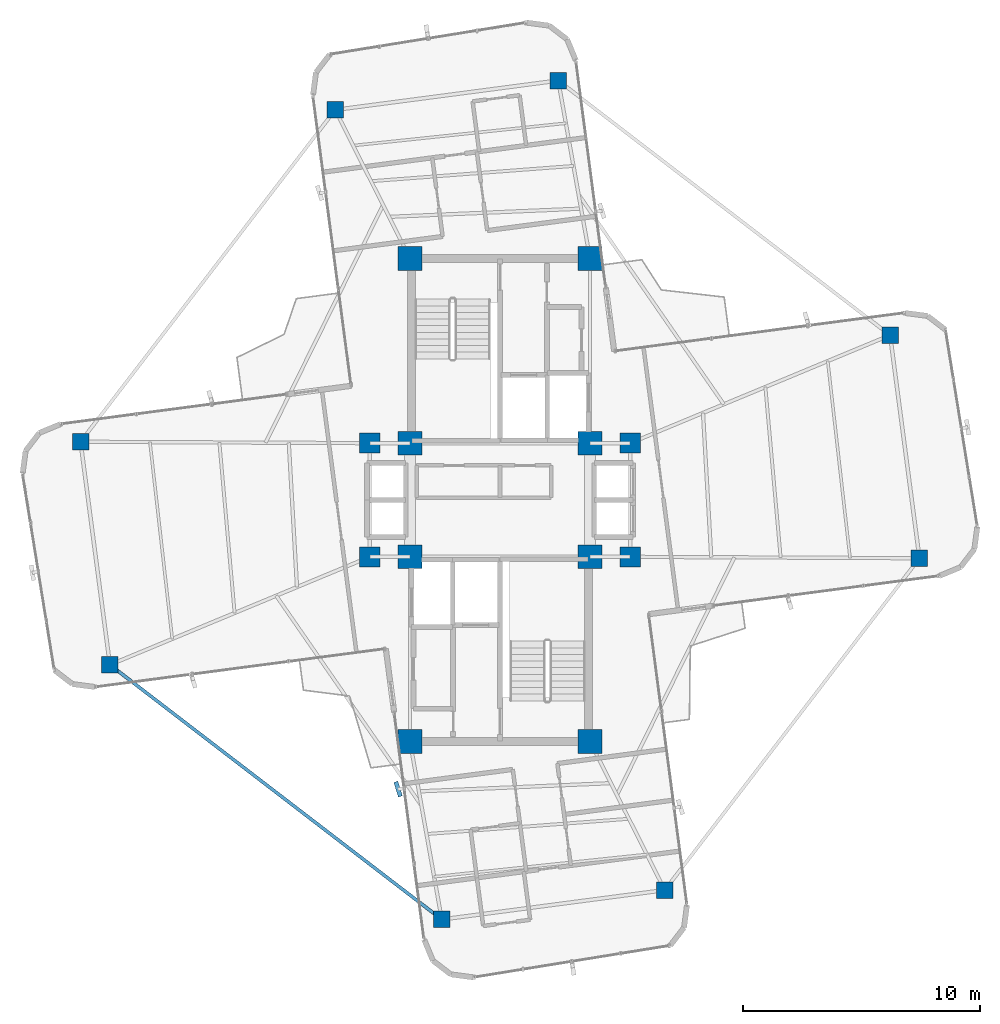
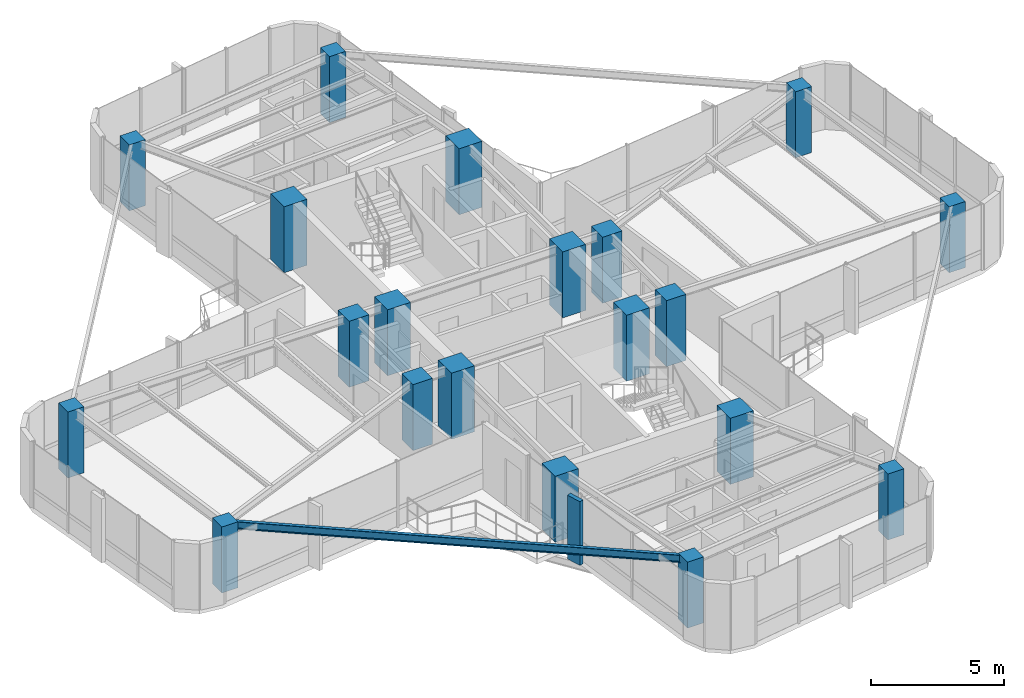
# One storey, part 1 of 22: 20 columns, 1 beam, 1 member, 1 element without a shape of its own.
"""IFC4 building model written with IfcOpenShell, lengths in metres."""

from ifc_helpers import new_model, si_unit, direction, frame, origin, origin_2d, place, context, subcontext, project, spatial, rectangle, i_section, extrude, source, transform, mapped, material, material_profile, profile_set, type_object, element, aggregate, save


model = new_model("IFC4")

# Units and contexts
model_context = context("Model", 3, precision=1e-05, world=origin(), true_north=direction((0.0, 1.0)))
body_context = subcontext(model_context, "Body", "Model", "MODEL_VIEW")
ifc_project = project(units=[si_unit("LENGTHUNIT", "METRE"), si_unit("AREAUNIT", "SQUARE_METRE"), si_unit("VOLUMEUNIT", "CUBIC_METRE"), si_unit("PLANEANGLEUNIT", "RADIAN"), si_unit("MASSUNIT", "GRAM", prefix="KILO")], contexts=[model_context])

# Site, building, storey
site_placement = place(None, origin())
site = spatial("IfcSite", under=ifc_project, at=site_placement, CompositionType="ELEMENT")
building_placement = place(site_placement, origin())
building = spatial("IfcBuilding", under=site, at=building_placement, Name="Sahyath Konkavel Grand Hotel", CompositionType="ELEMENT")
storey_placement = place(building_placement, frame((0.0, 0.0, 261.25)))
storey = spatial("IfcBuildingStorey", under=building, at=storey_placement, Name="L73", CompositionType="ELEMENT", Elevation=261.25)

# Columns
ifc_material_1 = material(Name="Concrete C50/60", Category="concrete")
ifc_material_profile_1 = material_profile(ifc_material_1, rectangle(XDim=1.0, YDim=1.0, at=origin_2d()), Name="RC 1000x1000")
ifc_profile_set_1 = profile_set([ifc_material_profile_1], Name="Concrete C50/60")
column_type_1 = type_object("IfcColumnType", Name="COL-RC1000", PredefinedType="COLUMN", material=ifc_profile_set_1)
shared_shape_1 = source(origin(), body_context, "Body", "SweptSolid", [
    extrude(rectangle(XDim=1.0, YDim=1.0, at=origin_2d()), origin(), (0.0, 0.0, 1.0), 3.030029296875),
])
for number, where, z_axis, x_axis, name in (
    (1, (-3.800048828125, 2.39990234375, 0.0), (0.0, 0.0, 1.0), (1.0, 0.0, 0.0), "L73 Core Boundary Column NC-SW"),
    (2, (3.800048828125, 2.39990234375, 0.0), (0.0, 0.0, 1.0), (1.0, 0.0, 0.0), "L73 Core Boundary Column NC-SE"),
    (3, (-3.800048828125, 10.199951171875, 0.0), (0.0, 0.0, 1.0), (1.0, 0.0, 0.0), "L73 Core Boundary Column NC-NW"),
    (4, (3.800048828125, 10.199951171875, 0.0), (0.0, 0.0, 1.0), (1.0, 0.0, 0.0), "L73 Core Boundary Column NC-NE"),
    (5, (-3.800048828125, -2.39990234375, 0.0), (0.0, 0.0, 1.0), (1.0, 0.0, 0.0), "L73 Core Boundary Column SC-NW"),
    (6, (3.800048828125, -2.39990234375, 0.0), (0.0, 0.0, 1.0), (1.0, 0.0, 0.0), "L73 Core Boundary Column SC-NE"),
    (7, (-3.800048828125, -10.199951171875, 0.0), (0.0, 0.0, 1.0), (1.0, 0.0, 0.0), "L73 Core Boundary Column SC-SW"),
    (8, (3.800048828125, -10.199951171875, 0.0), (0.0, 0.0, 1.0), (1.0, 0.0, 0.0), "L73 Core Boundary Column SC-SE"),
):
    element("IfcColumn", number, at=place(storey_placement, frame(where, z_axis=z_axis, x_axis=x_axis)), inside=storey, type_object=column_type_1, Name=name, PredefinedType="COLUMN", context=body_context, shape_type="MappedRepresentation", body=[
        mapped(shared_shape_1, transform((0.0, 0.0, 0.0), scale=1.0)),
    ])
ifc_material_2 = material(Name="Concrete C40/50", Category="concrete")
ifc_material_profile_2 = material_profile(ifc_material_2, rectangle(XDim=0.85009765625, YDim=0.85009765625, at=origin_2d()), Name="RC 850x850")
ifc_profile_set_2 = profile_set([ifc_material_profile_2], Name="Concrete C40/50")
column_type_2 = type_object("IfcColumnType", Name="COL-RC850", PredefinedType="COLUMN", material=ifc_profile_set_2)
shared_shape_2 = source(origin(), body_context, "Body", "SweptSolid", [
    extrude(rectangle(XDim=0.85009765625, YDim=0.85009765625, at=origin_2d()), origin(), (0.0, 0.0, 1.0), 3.030029296875),
])
for number, where, z_axis, x_axis, name in (
    (9, (5.5, 2.39990234375, 0.0), (0.0, 0.0, 1.0), (1.0, 0.0, 0.0), "L73 Central Spine Column HB-NE"),
    (10, (-5.5, 2.39990234375, 0.0), (0.0, 0.0, 1.0), (1.0, 0.0, 0.0), "L73 Central Spine Column HB-NW"),
    (11, (5.5, -2.39990234375, 0.0), (0.0, 0.0, 1.0), (1.0, 0.0, 0.0), "L73 Central Spine Column HB-SE"),
    (12, (-5.5, -2.39990234375, 0.0), (0.0, 0.0, 1.0), (1.0, 0.0, 0.0), "L73 Central Spine Column HB-SW"),
):
    element("IfcColumn", number, at=place(storey_placement, frame(where, z_axis=z_axis, x_axis=x_axis)), inside=storey, type_object=column_type_2, Name=name, PredefinedType="COLUMN", context=body_context, shape_type="MappedRepresentation", body=[
        mapped(shared_shape_2, transform((0.0, 0.0, 0.0), scale=1.0)),
    ])
ifc_material_profile_3 = material_profile(ifc_material_2, rectangle(XDim=0.699951171875, YDim=0.699951171875, at=origin_2d()), Name="RC 700x700")
ifc_profile_set_3 = profile_set([ifc_material_profile_3], Name="Concrete C40/50")
column_type_3 = type_object("IfcColumnType", Name="COL-RC700", PredefinedType="COLUMN", material=ifc_profile_set_3)
shared_shape_3 = source(origin(), body_context, "Body", "SweptSolid", [
    extrude(rectangle(XDim=0.699951171875, YDim=0.699951171875, at=origin_2d()), origin(), (0.0, 0.0, 1.0), 3.030029296875),
])
for number, where, z_axis, x_axis, name in (
    (13, (17.71240234375, -2.458984375, 0.0), (0.0, 0.0, 1.0), (1.0, 0.0, 0.0), "L73 Cruciform Wing Column WC-EA"),
    (14, (16.472412109375, 6.959716796875, 0.0), (0.0, 0.0, 1.0), (1.0, 0.0, 0.0), "L73 Cruciform Wing Column WC-EB"),
    (15, (2.458984375, 17.71240234375, 0.0), (0.0, 0.0, 1.0), (1.0, 0.0, 0.0), "L73 Cruciform Wing Column WC-NA"),
    (16, (-6.959716796875, 16.472412109375, 0.0), (0.0, 0.0, 1.0), (1.0, 0.0, 0.0), "L73 Cruciform Wing Column WC-NB"),
    (17, (-17.71240234375, 2.458984375, 0.0), (0.0, 0.0, 1.0), (1.0, 0.0, 0.0), "L73 Cruciform Wing Column WC-WA"),
    (18, (-16.472412109375, -6.959716796875, 0.0), (0.0, 0.0, 1.0), (1.0, 0.0, 0.0), "L73 Cruciform Wing Column WC-WB"),
    (19, (-2.458984375, -17.71240234375, 0.0), (0.0, 0.0, 1.0), (1.0, 0.0, 0.0), "L73 Cruciform Wing Column WC-SA"),
    (20, (6.959716796875, -16.472412109375, 0.0), (0.0, 0.0, 1.0), (1.0, 0.0, 0.0), "L73 Cruciform Wing Column WC-SB"),
):
    element("IfcColumn", number, at=place(storey_placement, frame(where, z_axis=z_axis, x_axis=x_axis)), inside=storey, type_object=column_type_3, Name=name, PredefinedType="COLUMN", context=body_context, shape_type="MappedRepresentation", body=[
        mapped(shared_shape_3, transform((0.0, 0.0, 0.0), scale=1.0)),
    ])

# Beam
ifc_material_3 = material(Name="Steel E350", Category="steel")
ifc_material_profile_4 = material_profile(ifc_material_3, i_section(OverallWidth=0.139892578125, OverallDepth=0.35009765625, WebThickness=0.008056640625, FlangeThickness=0.01416015625, FilletRadius=0.013916015625, at=origin_2d()), Name="ISMB 350")
ifc_profile_set_4 = profile_set([ifc_material_profile_4], Name="Steel E350")
beam_type = type_object("IfcBeamType", Name="BM-ISMB350", PredefinedType="BEAM", material=ifc_profile_set_4)
shared_shape_4 = source(origin(), body_context, "Body", "SweptSolid", [
    extrude(i_section(OverallWidth=0.139892578125, OverallDepth=0.35009765625, WebThickness=0.008056640625, FlangeThickness=0.01416015625, FilletRadius=0.013916015625, at=origin_2d()), origin(), (0.0, 0.0, 1.0), 17.663330078125),
])
beam_placement = place(storey_placement, frame((-16.472412109375, -6.959716796875, 2.85498046875), z_axis=(0.793358692504, -0.608754453805, 0.0), x_axis=(0.608754453805, 0.793358692504, 0.0)))
element("IfcBeam", 21, at=beam_placement, inside=storey, type_object=beam_type, Name="L73 Re-Entrant Tie Beam SW", PredefinedType="BEAM", context=body_context, shape_type="MappedRepresentation", body=[
    mapped(shared_shape_4, transform((0.0, 0.0, 0.0), scale=1.0)),
])

# Curtain wall, member
ifc_material_4 = material(Name="Anodised Bronze Aluminium & Low-E Glazing", Category="aluminium")
curtain_wall_type = type_object("IfcCurtainWallType", Name="CW-ZONE4", PredefinedType="NOTDEFINED", material=ifc_material_4)
curtain_wall_placement = place(storey_placement, origin())
curtain_wall = element("IfcCurtainWall", 22, at=curtain_wall_placement, inside=storey, type_object=curtain_wall_type, Name="L73 Unitised Curtain Wall F24", PredefinedType="NOTDEFINED")
ifc_material_5 = material(Name="Warm Buff Sandstone Cladding on Concrete C50/60", Category="masonry")
ifc_material_profile_5 = material_profile(ifc_material_5, rectangle(XDim=0.179931640625, YDim=0.64990234375, at=origin_2d()), Name="FIN 180x650")
ifc_profile_set_5 = profile_set([ifc_material_profile_5], Name="Warm Buff Sandstone Cladding on Concrete C50/60")
member_type = type_object("IfcMemberType", Name="FIN-SANDSTONE-650", PredefinedType="MULLION", material=ifc_profile_set_5)
shared_shape_5 = source(origin(), body_context, "Body", "SweptSolid", [
    extrude(rectangle(XDim=0.179931640625, YDim=0.64990234375, at=origin_2d()), origin(), (0.0, 0.0, 1.0), 2.929931640625),
])
member_placement = place(storey_placement, frame((-4.30322265625, -12.20947265625, 0.050048828125), z_axis=(0.0, 0.0, 1.0), x_axis=(0.954812686667, 0.297208232354, 0.0)))
member = element("IfcMember", 23, at=member_placement, type_object=member_type, Name="L73 Sandstone Vertical Solar Fin FIN F24-1", PredefinedType="MULLION", context=body_context, shape_type="MappedRepresentation", body=[
    mapped(shared_shape_5, transform((0.0, 0.0, 0.0), scale=1.0)),
])
aggregate(curtain_wall, [member])

save(model, "model.ifc")
